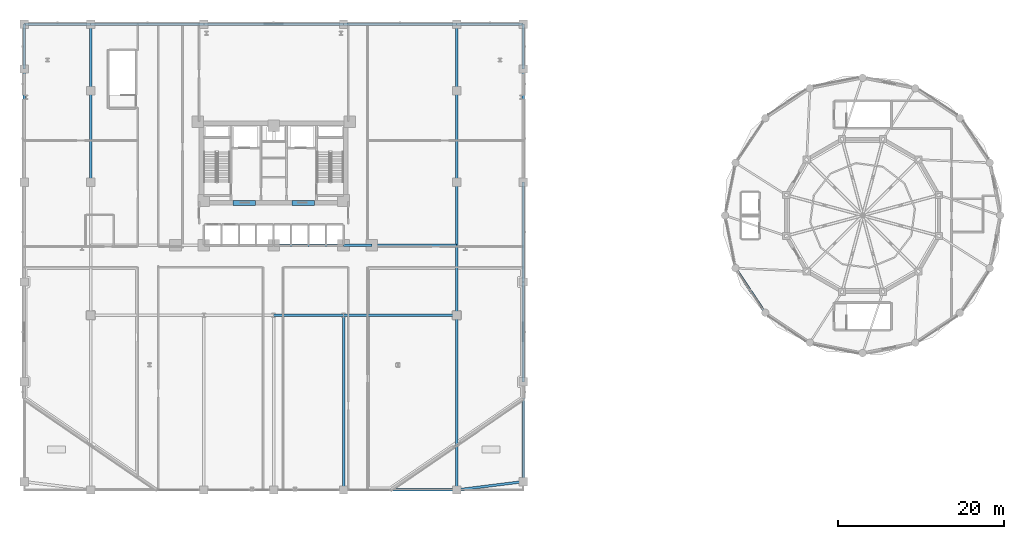
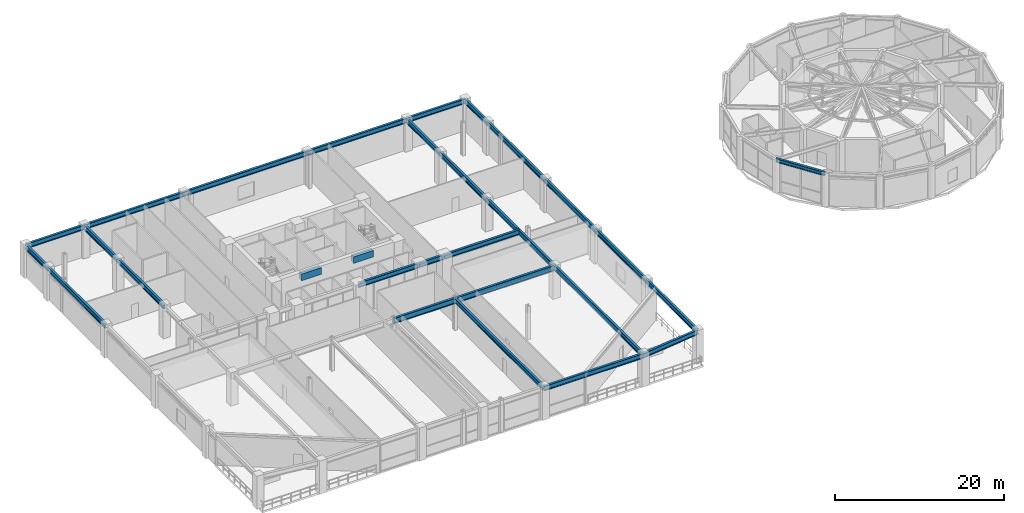
# One storey, part 6 of 26: 27 beams.
"""IFC4 building model written with IfcOpenShell, lengths in metres."""

from ifc_helpers import new_model, si_unit, derived_unit, direction, frame, origin, origin_2d, place, context, subcontext, project, spatial, rectangle, i_section, extrude, source, transform, mapped, material, material_profile, profile_set, type_object, element, save


model = new_model("IFC4")

# Units and contexts
model_context = context("Model", 3, precision=1e-05, world=origin(), true_north=direction((0.0, 1.0)))
body_context = subcontext(model_context, "Body", "Model", "MODEL_VIEW")
ifc_project = project(units=[si_unit("LENGTHUNIT", "METRE"), si_unit("AREAUNIT", "SQUARE_METRE"), si_unit("VOLUMEUNIT", "CUBIC_METRE"), si_unit("PLANEANGLEUNIT", "RADIAN"), si_unit("MASSUNIT", "GRAM", prefix="KILO"), derived_unit("THERMALTRANSMITTANCEUNIT", [(si_unit("POWERUNIT", "WATT"), 1), (si_unit("LENGTHUNIT", "METRE"), -2), (si_unit("THERMODYNAMICTEMPERATUREUNIT", "KELVIN"), -1)])], contexts=[model_context])

# Site, building, storey
site_placement = place(None, origin())
site = spatial("IfcSite", under=ifc_project, at=site_placement, CompositionType="ELEMENT")
building_placement = place(site_placement, origin())
building = spatial("IfcBuilding", under=site, at=building_placement, Name="Korsvarv Bourse and Concert Hall", CompositionType="ELEMENT")
storey_placement = place(building_placement, frame((0.0, 0.0, 19.199951171875)))
storey = spatial("IfcBuildingStorey", under=building, at=storey_placement, Name="L04", CompositionType="ELEMENT", Elevation=19.199951171875)

# Beams
ifc_material_1 = material(Name="Concrete C55/67", Category="concrete")
ifc_material_profile_1 = material_profile(ifc_material_1, rectangle(XDim=0.60009765625, YDim=0.949951171875, at=origin_2d()), Name="RC-BM 600x950")
ifc_profile_set_1 = profile_set([ifc_material_profile_1], Name="Concrete C55/67")
beam_type_1 = type_object("IfcBeamType", Name="BM-CPL", PredefinedType="LINTEL", material=ifc_profile_set_1)
shared_shape_1 = source(origin(), body_context, "Body", "SweptSolid", [
    extrude(rectangle(XDim=0.60009765625, YDim=0.949951171875, at=origin_2d()), origin(), (0.0, 0.0, 1.0), 2.699951171875),
])
for number, where, z_axis, x_axis, name in (
    (1, (31.10009765625, 37.52490234375, 4.10498046875), (1.0, 0.0, 0.0), (0.0, 1.0, 0.0), "L04 Core Coupling Beam West"),
    (2, (38.199951171875, 37.52490234375, 4.10498046875), (1.0, 0.0, 0.0), (0.0, 1.0, 0.0), "L04 Core Coupling Beam East"),
):
    element("IfcBeam", number, at=place(storey_placement, frame(where, z_axis=z_axis, x_axis=x_axis)), inside=storey, type_object=beam_type_1, Name=name, PredefinedType="LINTEL", context=body_context, shape_type="MappedRepresentation", body=[
        mapped(shared_shape_1, transform((0.0, 0.0, 0.0), scale=1.0)),
    ])
ifc_material_2 = material(Name="Steel S355", Category="steel")
ifc_material_profile_2 = material_profile(ifc_material_2, i_section(OverallWidth=0.300048828125, OverallDepth=0.699951171875, WebThickness=0.01708984375, FlangeThickness=0.031982421875, FilletRadius=0.027099609375, at=origin_2d()), Name="HEB 700")
ifc_profile_set_2 = profile_set([ifc_material_profile_2], Name="Steel S355")
beam_type_2 = type_object("IfcBeamType", Name="BM-HEB700", PredefinedType="BEAM", material=ifc_profile_set_2)
shared_shape_2 = source(origin(), body_context, "Body", "SweptSolid", [
    extrude(i_section(OverallWidth=0.300048828125, OverallDepth=0.699951171875, WebThickness=0.01708984375, FlangeThickness=0.031982421875, FilletRadius=0.027099609375, at=origin_2d()), origin(), (0.0, 0.0, 1.0), 12.0),
])
for number, where, z_axis, x_axis, name in (
    (3, (66.0, 4.0, 4.22998046875), (0.0, 1.0, 0.0), (-1.0, 0.0, 0.0), "L04 beam B-03"),
    (4, (66.0, 16.0, 4.22998046875), (0.0, 1.0, 0.0), (-1.0, 0.0, 0.0), "L04 beam B-03"),
    (5, (66.0, 28.0, 4.22998046875), (0.0, 1.0, 0.0), (-1.0, 0.0, 0.0), "L04 beam B-03"),
):
    element("IfcBeam", number, at=place(storey_placement, frame(where, z_axis=z_axis, x_axis=x_axis)), inside=storey, type_object=beam_type_2, Name=name, PredefinedType="BEAM", context=body_context, shape_type="MappedRepresentation", body=[
        mapped(shared_shape_2, transform((0.0, 0.0, 0.0), scale=1.0)),
    ])
shared_shape_3 = source(origin(), body_context, "Body", "SweptSolid", [
    extrude(i_section(OverallWidth=0.300048828125, OverallDepth=0.699951171875, WebThickness=0.01708984375, FlangeThickness=0.031982421875, FilletRadius=0.027099609375, at=origin_2d()), origin(), (0.0, 0.0, 1.0), 13.60009765625),
])
for number, where, z_axis, x_axis, name in (
    (6, (6.0, 40.0, 4.22998046875), (0.0, 1.0, 0.0), (-1.0, 0.0, 0.0), "L04 beam B-03"),
    (7, (66.0, 40.0, 4.22998046875), (0.0, 1.0, 0.0), (-1.0, 0.0, 0.0), "L04 beam B-03"),
    (8, (44.39990234375, 3.0, 4.22998046875), (1.0, 0.0, 0.0), (0.0, 1.0, 0.0), "L04 beam B-03"),
    (9, (14.0, 59.0, 4.22998046875), (1.0, 0.0, 0.0), (0.0, 1.0, 0.0), "L04 beam B-03"),
    (10, (44.39990234375, 59.0, 4.22998046875), (1.0, 0.0, 0.0), (0.0, 1.0, 0.0), "L04 beam B-03"),
):
    element("IfcBeam", number, at=place(storey_placement, frame(where, z_axis=z_axis, x_axis=x_axis)), inside=storey, type_object=beam_type_2, Name=name, PredefinedType="BEAM", context=body_context, shape_type="MappedRepresentation", body=[
        mapped(shared_shape_3, transform((0.0, 0.0, 0.0), scale=1.0)),
    ])
shared_shape_4 = source(origin(), body_context, "Body", "SweptSolid", [
    extrude(i_section(OverallWidth=0.300048828125, OverallDepth=0.699951171875, WebThickness=0.01708984375, FlangeThickness=0.031982421875, FilletRadius=0.027099609375, at=origin_2d()), origin(), (0.0, 0.0, 1.0), 5.39990234375),
])
for number, where, z_axis, x_axis, name in (
    (11, (6.0, 53.60009765625, 4.22998046875), (0.0, 1.0, 0.0), (-1.0, 0.0, 0.0), "L04 beam B-03"),
    (12, (66.0, 53.60009765625, 4.22998046875), (0.0, 1.0, 0.0), (-1.0, 0.0, 0.0), "L04 beam B-03"),
):
    element("IfcBeam", number, at=place(storey_placement, frame(where, z_axis=z_axis, x_axis=x_axis)), inside=storey, type_object=beam_type_2, Name=name, PredefinedType="BEAM", context=body_context, shape_type="MappedRepresentation", body=[
        mapped(shared_shape_4, transform((0.0, 0.0, 0.0), scale=1.0)),
    ])
shared_shape_5 = source(origin(), body_context, "Body", "SweptSolid", [
    extrude(i_section(OverallWidth=0.300048828125, OverallDepth=0.699951171875, WebThickness=0.01708984375, FlangeThickness=0.031982421875, FilletRadius=0.027099609375, at=origin_2d()), origin(), (0.0, 0.0, 1.0), 8.062255859375),
])
beam_1_placement = place(storey_placement, frame((58.0, 3.0, 4.22998046875), z_axis=(0.992277876714, 0.124034734589, 0.0), x_axis=(-0.124034734589, 0.992277876714, 0.0)))
element("IfcBeam", 13, at=beam_1_placement, inside=storey, type_object=beam_type_2, Name="L04 beam B-03", PredefinedType="BEAM", context=body_context, shape_type="MappedRepresentation", body=[
    mapped(shared_shape_5, transform((0.0, 0.0, 0.0), scale=1.0)),
])
shared_shape_6 = source(origin(), body_context, "Body", "SweptSolid", [
    extrude(i_section(OverallWidth=0.300048828125, OverallDepth=0.699951171875, WebThickness=0.01708984375, FlangeThickness=0.031982421875, FilletRadius=0.027099609375, at=origin_2d()), origin(), (0.0, 0.0, 1.0), 8.39990234375),
])
beam_2_placement = place(storey_placement, frame((36.0, 32.39990234375, 4.22998046875), z_axis=(1.0, 0.0, 0.0), x_axis=(0.0, 1.0, 0.0)))
element("IfcBeam", 14, at=beam_2_placement, inside=storey, type_object=beam_type_2, Name="L04 beam B-03", PredefinedType="BEAM", context=body_context, shape_type="MappedRepresentation", body=[
    mapped(shared_shape_6, transform((0.0, 0.0, 0.0), scale=1.0)),
])
shared_shape_7 = source(origin(), body_context, "Body", "SweptSolid", [
    extrude(i_section(OverallWidth=0.300048828125, OverallDepth=0.699951171875, WebThickness=0.01708984375, FlangeThickness=0.031982421875, FilletRadius=0.027099609375, at=origin_2d()), origin(), (0.0, 0.0, 1.0), 8.0),
])
for number, where, z_axis, x_axis, name in (
    (15, (6.0, 59.0, 4.22998046875), (1.0, 0.0, 0.0), (0.0, 1.0, 0.0), "L04 beam B-03"),
    (16, (58.0, 59.0, 4.22998046875), (1.0, 0.0, 0.0), (0.0, 1.0, 0.0), "L04 beam B-03"),
):
    element("IfcBeam", number, at=place(storey_placement, frame(where, z_axis=z_axis, x_axis=x_axis)), inside=storey, type_object=beam_type_2, Name=name, PredefinedType="BEAM", context=body_context, shape_type="MappedRepresentation", body=[
        mapped(shared_shape_7, transform((0.0, 0.0, 0.0), scale=1.0)),
    ])
shared_shape_8 = source(origin(), body_context, "Body", "SweptSolid", [
    extrude(i_section(OverallWidth=0.300048828125, OverallDepth=0.699951171875, WebThickness=0.01708984375, FlangeThickness=0.031982421875, FilletRadius=0.027099609375, at=origin_2d()), origin(), (0.0, 0.0, 1.0), 16.7998046875),
])
beam_3_placement = place(storey_placement, frame((27.60009765625, 59.0, 4.22998046875), z_axis=(1.0, 0.0, 0.0), x_axis=(0.0, 1.0, 0.0)))
element("IfcBeam", 17, at=beam_3_placement, inside=storey, type_object=beam_type_2, Name="L04 beam B-03", PredefinedType="BEAM", context=body_context, shape_type="MappedRepresentation", body=[
    mapped(shared_shape_8, transform((0.0, 0.0, 0.0), scale=1.0)),
])
shared_shape_9 = source(origin(), body_context, "Body", "SweptSolid", [
    extrude(i_section(OverallWidth=0.300048828125, OverallDepth=0.699951171875, WebThickness=0.01708984375, FlangeThickness=0.031982421875, FilletRadius=0.027099609375, at=origin_2d()), origin(), (0.0, 0.0, 1.0), 21.0),
])
beam_4_placement = place(storey_placement, frame((58.0, 3.0, 4.22998046875), z_axis=(0.0, 1.0, 0.0), x_axis=(-1.0, 0.0, 0.0)))
element("IfcBeam", 18, at=beam_4_placement, inside=storey, type_object=beam_type_2, Name="L04 beam B-03", PredefinedType="BEAM", context=body_context, shape_type="MappedRepresentation", body=[
    mapped(shared_shape_9, transform((0.0, 0.0, 0.0), scale=1.0)),
])
shared_shape_10 = source(origin(), body_context, "Body", "SweptSolid", [
    extrude(i_section(OverallWidth=0.300048828125, OverallDepth=0.699951171875, WebThickness=0.01708984375, FlangeThickness=0.031982421875, FilletRadius=0.027099609375, at=origin_2d()), origin(), (0.0, 0.0, 1.0), 16.0),
])
beam_5_placement = place(storey_placement, frame((58.0, 24.0, 4.22998046875), z_axis=(0.0, 1.0, 0.0), x_axis=(-1.0, 0.0, 0.0)))
element("IfcBeam", 19, at=beam_5_placement, inside=storey, type_object=beam_type_2, Name="L04 beam B-03", PredefinedType="BEAM", context=body_context, shape_type="MappedRepresentation", body=[
    mapped(shared_shape_10, transform((0.0, 0.0, 0.0), scale=1.0)),
])
shared_shape_11 = source(origin(), body_context, "Body", "SweptSolid", [
    extrude(i_section(OverallWidth=0.300048828125, OverallDepth=0.699951171875, WebThickness=0.01708984375, FlangeThickness=0.031982421875, FilletRadius=0.027099609375, at=origin_2d()), origin(), (0.0, 0.0, 1.0), 19.0),
])
for number, where, z_axis, x_axis, name in (
    (20, (14.0, 40.0, 4.22998046875), (0.0, 1.0, 0.0), (-1.0, 0.0, 0.0), "L04 beam B-03"),
    (21, (58.0, 40.0, 4.22998046875), (0.0, 1.0, 0.0), (-1.0, 0.0, 0.0), "L04 beam B-03"),
):
    element("IfcBeam", number, at=place(storey_placement, frame(where, z_axis=z_axis, x_axis=x_axis)), inside=storey, type_object=beam_type_2, Name=name, PredefinedType="BEAM", context=body_context, shape_type="MappedRepresentation", body=[
        mapped(shared_shape_11, transform((0.0, 0.0, 0.0), scale=1.0)),
    ])
shared_shape_12 = source(origin(), body_context, "Body", "SweptSolid", [
    extrude(i_section(OverallWidth=0.300048828125, OverallDepth=0.699951171875, WebThickness=0.01708984375, FlangeThickness=0.031982421875, FilletRadius=0.027099609375, at=origin_2d()), origin(), (0.0, 0.0, 1.0), 10.199951171875),
])
beam_6_placement = place(storey_placement, frame((47.800048828125, 32.39990234375, 4.22998046875), z_axis=(1.0, 0.0, 0.0), x_axis=(0.0, 1.0, 0.0)))
element("IfcBeam", 22, at=beam_6_placement, inside=storey, type_object=beam_type_2, Name="L04 beam B-03", PredefinedType="BEAM", context=body_context, shape_type="MappedRepresentation", body=[
    mapped(shared_shape_12, transform((0.0, 0.0, 0.0), scale=1.0)),
])
shared_shape_13 = source(origin(), body_context, "Body", "SweptSolid", [
    extrude(i_section(OverallWidth=0.300048828125, OverallDepth=0.699951171875, WebThickness=0.01708984375, FlangeThickness=0.031982421875, FilletRadius=0.027099609375, at=origin_2d()), origin(), (0.0, 0.0, 1.0), 3.400146484375),
])
beam_7_placement = place(storey_placement, frame((44.39990234375, 32.39990234375, 4.22998046875), z_axis=(1.0, 0.0, 0.0), x_axis=(0.0, 1.0, 0.0)))
element("IfcBeam", 23, at=beam_7_placement, inside=storey, type_object=beam_type_2, Name="L04 beam B-03", PredefinedType="BEAM", context=body_context, shape_type="MappedRepresentation", body=[
    mapped(shared_shape_13, transform((0.0, 0.0, 0.0), scale=1.0)),
])
ifc_material_3 = material(Name="Steel S460", Category="steel")
ifc_material_profile_3 = material_profile(ifc_material_3, i_section(OverallWidth=0.300048828125, OverallDepth=0.800048828125, WebThickness=0.017578125, FlangeThickness=0.032958984375, FilletRadius=0.027099609375, at=origin_2d()), Name="HEB 800")
ifc_profile_set_3 = profile_set([ifc_material_profile_3], Name="Steel S460")
beam_type_3 = type_object("IfcBeamType", Name="BM-HEB800", PredefinedType="BEAM", material=ifc_profile_set_3)
shared_shape_14 = source(origin(), body_context, "Body", "SweptSolid", [
    extrude(i_section(OverallWidth=0.300048828125, OverallDepth=0.800048828125, WebThickness=0.017578125, FlangeThickness=0.032958984375, FilletRadius=0.027099609375, at=origin_2d()), origin(), (0.0, 0.0, 1.0), 13.60009765625),
])
beam_8_placement = place(storey_placement, frame((44.39990234375, 24.0, 4.179931640625), z_axis=(1.0, 0.0, 0.0), x_axis=(0.0, 1.0, 0.0)))
element("IfcBeam", 24, at=beam_8_placement, inside=storey, type_object=beam_type_3, Name="L04 beam B-02", PredefinedType="BEAM", context=body_context, shape_type="MappedRepresentation", body=[
    mapped(shared_shape_14, transform((0.0, 0.0, 0.0), scale=1.0)),
])
shared_shape_15 = source(origin(), body_context, "Body", "SweptSolid", [
    extrude(i_section(OverallWidth=0.300048828125, OverallDepth=0.800048828125, WebThickness=0.017578125, FlangeThickness=0.032958984375, FilletRadius=0.027099609375, at=origin_2d()), origin(), (0.0, 0.0, 1.0), 8.39990234375),
])
beam_9_placement = place(storey_placement, frame((36.0, 24.0, 4.179931640625), z_axis=(1.0, 0.0, 0.0), x_axis=(0.0, 1.0, 0.0)))
element("IfcBeam", 25, at=beam_9_placement, inside=storey, type_object=beam_type_3, Name="L04 beam B-02", PredefinedType="BEAM", context=body_context, shape_type="MappedRepresentation", body=[
    mapped(shared_shape_15, transform((0.0, 0.0, 0.0), scale=1.0)),
])
ifc_material_profile_4 = material_profile(ifc_material_2, i_section(OverallWidth=0.300048828125, OverallDepth=0.64990234375, WebThickness=0.01611328125, FlangeThickness=0.031005859375, FilletRadius=0.027099609375, at=origin_2d()), Name="HEB 650")
ifc_profile_set_4 = profile_set([ifc_material_profile_4], Name="Steel S355")
beam_type_4 = type_object("IfcBeamType", Name="BM-HEB650", PredefinedType="BEAM", material=ifc_profile_set_4)
shared_shape_16 = source(origin(), body_context, "Body", "SweptSolid", [
    extrude(i_section(OverallWidth=0.300048828125, OverallDepth=0.64990234375, WebThickness=0.01611328125, FlangeThickness=0.031005859375, FilletRadius=0.027099609375, at=origin_2d()), origin(), (0.0, 0.0, 1.0), 21.0),
])
beam_10_placement = place(storey_placement, frame((44.39990234375, 3.0, 4.255126953125), z_axis=(0.0, 1.0, 0.0), x_axis=(-1.0, 0.0, 0.0)))
element("IfcBeam", 26, at=beam_10_placement, inside=storey, type_object=beam_type_4, Name="L04 beam B-04", PredefinedType="BEAM", context=body_context, shape_type="MappedRepresentation", body=[
    mapped(shared_shape_16, transform((0.0, 0.0, 0.0), scale=1.0)),
])
ifc_material_profile_5 = material_profile(ifc_material_2, i_section(OverallWidth=0.300048828125, OverallDepth=0.550048828125, WebThickness=0.014892578125, FlangeThickness=0.029052734375, FilletRadius=0.02392578125, at=origin_2d()), Name="HEB 550")
ifc_profile_set_5 = profile_set([ifc_material_profile_5], Name="Steel S355")
beam_type_5 = type_object("IfcBeamType", Name="BM-HEB550", PredefinedType="BEAM", material=ifc_profile_set_5)
shared_shape_17 = source(origin(), body_context, "Body", "SweptSolid", [
    extrude(i_section(OverallWidth=0.300048828125, OverallDepth=0.550048828125, WebThickness=0.014892578125, FlangeThickness=0.029052734375, FilletRadius=0.02392578125, at=origin_2d()), origin(), (0.0, 0.0, 1.0), 6.45751953125),
])
beam_11_placement = place(storey_placement, frame((91.509765625, 29.66650390625, 4.525146484375), z_axis=(0.55558109052, -0.83146235745, 0.0), x_axis=(0.83146235745, 0.55558109052, 0.0)))
element("IfcBeam", 27, at=beam_11_placement, inside=storey, type_object=beam_type_5, Name="L04 beam B-06", PredefinedType="BEAM", context=body_context, shape_type="MappedRepresentation", body=[
    mapped(shared_shape_17, transform((0.0, 0.0, 0.0), scale=1.0)),
])

save(model, "model.ifc")
